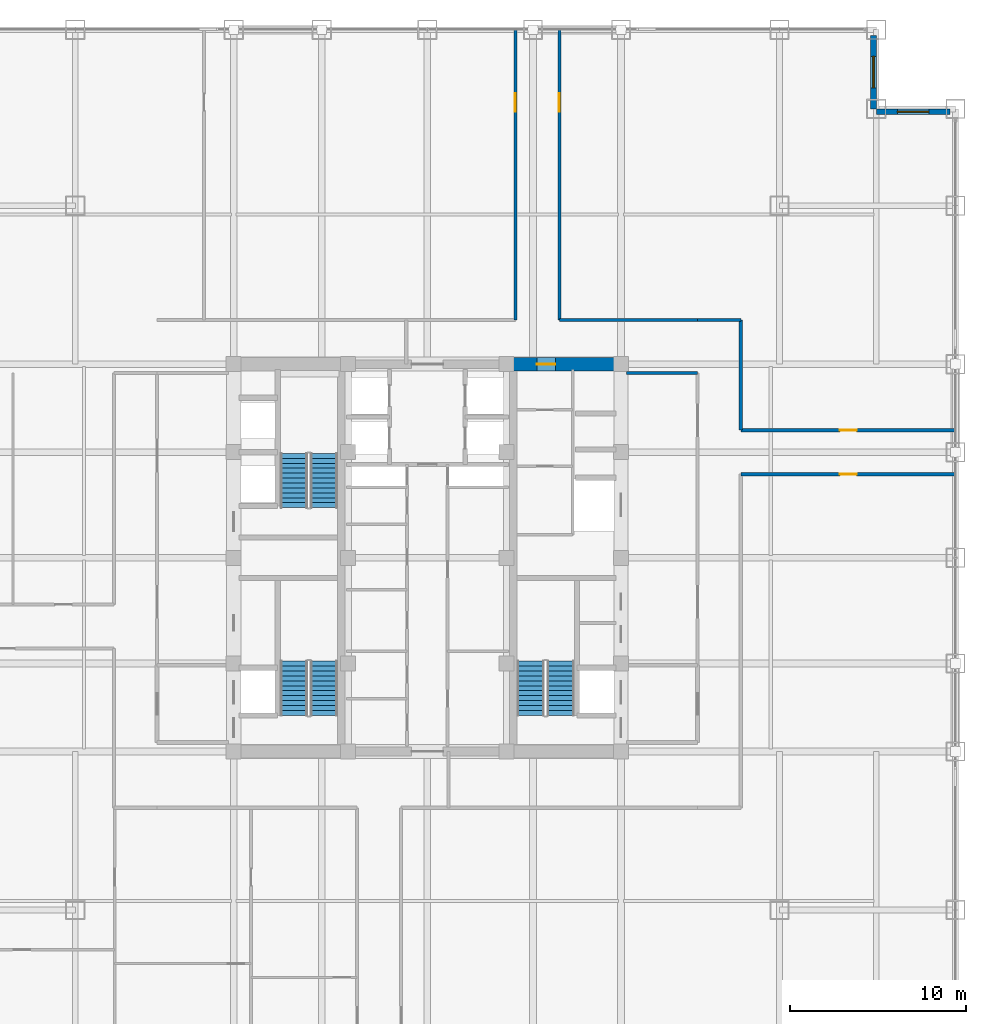
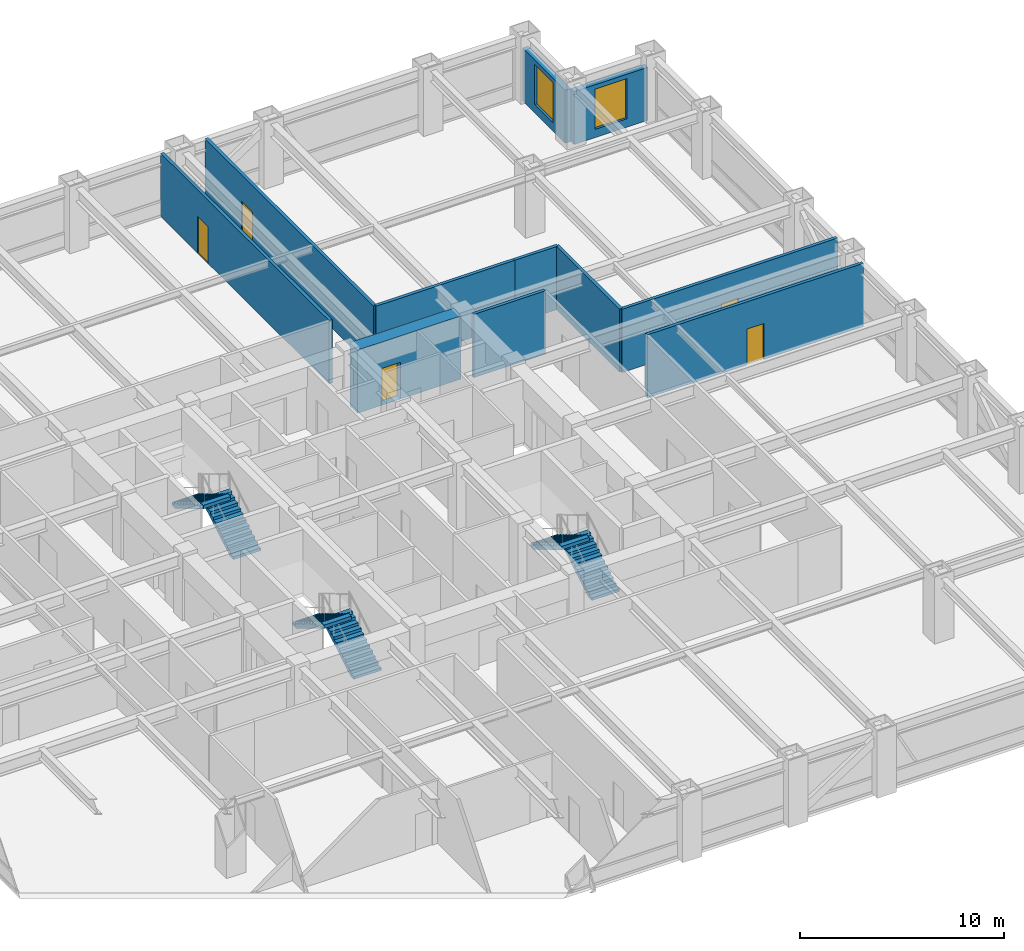
# One storey, part 23 of 24: 11 walls, 6 stair flights, 5 doors, 2 windows, 7 openings, 3 elements without a shape of their own.
"""IFC4 building model written with IfcOpenShell, lengths in metres."""

import ifcopenshell
import ifcopenshell.guid

model = None  # the IFC model being written
_history = None  # IfcOwnerHistory: only IFC2X3 demands one
_inside = {}  # id of a spatial element -> (the spatial element, [elements in it])
_under = {}  # id of a project, library or spatial element -> (it, [spatial elements below it])
_declared = {}  # id of a project -> (the project, [libraries it declares])
_typed = {}  # id of a type object -> (the type object, [elements of that type])
_made_of = {}  # id of a material, layer set ... -> (it, [elements and type objects made of it])


def new_model(schema):
    """Start an empty IFC model of exactly this schema.

    Asked for "IFC4X3", IfcOpenShell would pick the latest addendum, in which some entities
    have other attributes; the version numbers below select the first issue.
    IFC2X3 requires an IfcOwnerHistory on every rooted entity: one is made here for all.
    """
    global model, _history
    if schema == "IFC4X3":
        model = ifcopenshell.file(schema_version=(4, 3, 0, 0))
    else:
        model = ifcopenshell.file(schema=schema)
    _inside.clear()
    _under.clear()
    _declared.clear()
    _typed.clear()
    _made_of.clear()
    _history = None
    if model.schema == "IFC2X3":
        org = make("IfcOrganization", Name="unknown")
        user = make(
            "IfcPersonAndOrganization",
            ThePerson=make("IfcPerson", FamilyName="unknown"),
            TheOrganization=org,
        )
        app = make(
            "IfcApplication",
            ApplicationDeveloper=org,
            Version="unknown",
            ApplicationFullName="unknown",
            ApplicationIdentifier="unknown",
        )
        _history = make(
            "IfcOwnerHistory",
            OwningUser=user,
            OwningApplication=app,
            ChangeAction="ADDED",
            CreationDate=0,
        )
    return model


def make(cls, **values):
    """One entity of the class cls with the attributes given. An attribute that is None is left unset."""
    return model.create_entity(
        cls, **{name: value for name, value in values.items() if value is not None}
    )


def rooted(cls, **values):
    """An entity with a GlobalId (a new one), such as an element, a storey or a relation."""
    return make(cls, GlobalId=ifcopenshell.guid.new(), OwnerHistory=_history, **values)


def si_unit(unit_type, name, prefix=None):
    """IfcSIUnit, for example si_unit("LENGTHUNIT", "METRE", prefix="MILLI")."""
    return make("IfcSIUnit", UnitType=unit_type, Prefix=prefix, Name=name)


def assignment(units):
    """IfcUnitAssignment: the units of a project."""
    return None if units is None else make("IfcUnitAssignment", Units=units)


def point(xyz):
    """IfcCartesianPoint."""
    return None if xyz is None else make("IfcCartesianPoint", Coordinates=xyz)


def direction(xyz):
    """IfcDirection."""
    return None if xyz is None else make("IfcDirection", DirectionRatios=xyz)


def frame(location, z_axis=None, x_axis=None):
    """IfcAxis2Placement3D, a coordinate frame: its origin and axes. An axis left out is left unset."""
    return make(
        "IfcAxis2Placement3D",
        Location=point(location),
        Axis=direction(z_axis),
        RefDirection=direction(x_axis),
    )


def frame_2d(location, x_axis=None):
    """IfcAxis2Placement2D, a coordinate frame in the plane: its origin and x axis."""
    return make(
        "IfcAxis2Placement2D", Location=point(location), RefDirection=direction(x_axis)
    )


def origin():
    """The frame at (0, 0, 0) with its axes left unset."""
    return frame((0.0, 0.0, 0.0))


def place(relative_to, where):
    """IfcLocalPlacement: puts the frame where relative to a parent placement (None: the world)."""
    return make(
        "IfcLocalPlacement", PlacementRelTo=relative_to, RelativePlacement=where
    )


def context(
    kind, dimensions, precision=None, world=None, true_north=None, identifier=None
):
    """IfcGeometricRepresentationContext, for example the 3D "Model" context."""
    return make(
        "IfcGeometricRepresentationContext",
        ContextIdentifier=identifier,
        ContextType=kind,
        CoordinateSpaceDimension=dimensions,
        Precision=precision,
        WorldCoordinateSystem=world,
        TrueNorth=true_north,
    )


def subcontext(parent, identifier, kind, view, scale=None):
    """IfcGeometricRepresentationSubContext, for example "Body" below "Model"."""
    return make(
        "IfcGeometricRepresentationSubContext",
        ContextIdentifier=identifier,
        ContextType=kind,
        ParentContext=parent,
        TargetScale=scale,
        TargetView=view,
    )


def project(units=None, contexts=None):
    """IfcProject with its units and contexts."""
    return rooted(
        "IfcProject",
        Name="project",
        RepresentationContexts=contexts,
        UnitsInContext=assignment(units),
    )


def spatial(cls, under=None, at=None, **own):
    """A site, building, storey or space (cls), placed at a placement, below another one or the project."""
    s = rooted(cls, ObjectPlacement=at, **own)
    if under is not None:
        _under.setdefault(under.id(), (under, []))[1].append(s)
    return s


def polyline(points):
    """IfcPolyline through the points."""
    return make("IfcPolyline", Points=[point(p) for p in points])


def profile(cls, at=None, kind="AREA", **sizes):
    """A parametric profile (cls). Its sizes go by their IFC names, for example OverallWidth=200.0."""
    return make(cls, ProfileType=kind, Position=at, **sizes)


def rectangle(**sizes):
    """IfcRectangleProfileDef."""
    return profile("IfcRectangleProfileDef", **sizes)


def outline(outer, holes=None, kind="AREA"):
    """IfcArbitraryClosedProfileDef: a profile drawn as a closed curve; with holes, ...WithVoids."""
    if holes is None:
        return make("IfcArbitraryClosedProfileDef", ProfileType=kind, OuterCurve=outer)
    return make(
        "IfcArbitraryProfileDefWithVoids",
        ProfileType=kind,
        OuterCurve=outer,
        InnerCurves=holes,
    )


def extrude(swept, where, along, depth):
    """IfcExtrudedAreaSolid: the profile swept, set in the frame where, extruded along a direction by depth."""
    return make(
        "IfcExtrudedAreaSolid",
        SweptArea=swept,
        Position=where,
        ExtrudedDirection=direction(along),
        Depth=depth,
    )


def shape(context_of_items, identifier, shape_type, items):
    """IfcShapeRepresentation: the items that make up one representation, for example the "Body"."""
    return make(
        "IfcShapeRepresentation",
        ContextOfItems=context_of_items,
        RepresentationIdentifier=identifier,
        RepresentationType=shape_type,
        Items=items,
    )


def source(mapping_origin, context_of_items, identifier, shape_type, items):
    """IfcRepresentationMap: a shape defined once, which mapped items show again and again."""
    return make(
        "IfcRepresentationMap",
        MappingOrigin=mapping_origin,
        MappedRepresentation=shape(context_of_items, identifier, shape_type, items),
    )


def transform(
    local_origin,
    x_axis=None,
    y_axis=None,
    z_axis=None,
    scale=None,
    scale2=None,
    scale3=None,
    uniform=True,
):
    """IfcCartesianTransformationOperator3D, or its non-uniform kind. x_axis, y_axis, z_axis: its Axis1, 2, 3."""
    if uniform:
        return make(
            "IfcCartesianTransformationOperator3D",
            Axis1=direction(x_axis),
            Axis2=direction(y_axis),
            LocalOrigin=point(local_origin),
            Scale=scale,
            Axis3=direction(z_axis),
        )
    return make(
        "IfcCartesianTransformationOperator3DnonUniform",
        Axis1=direction(x_axis),
        Axis2=direction(y_axis),
        LocalOrigin=point(local_origin),
        Scale=scale,
        Axis3=direction(z_axis),
        Scale2=scale2,
        Scale3=scale3,
    )


def mapped(mapping_source, mapping_target):
    """IfcMappedItem: shows the shape of a source again, moved by a transform."""
    return make(
        "IfcMappedItem", MappingSource=mapping_source, MappingTarget=mapping_target
    )


def material(Name=None, Category=None):
    """IfcMaterial."""
    return make("IfcMaterial", Name=Name, Category=Category)


def layer(
    of_material, thickness, ventilated=None, Name=None, Category=None, Priority=None
):
    """IfcMaterialLayer: one layer of a wall or slab, of a material (None: an air gap)."""
    return make(
        "IfcMaterialLayer",
        Material=of_material,
        LayerThickness=thickness,
        IsVentilated=ventilated,
        Name=Name,
        Category=Category,
        Priority=Priority,
    )


def layer_set(layers, Name=None):
    """IfcMaterialLayerSet."""
    return make("IfcMaterialLayerSet", MaterialLayers=layers, LayerSetName=Name)


def made_of(thing, what):
    """Note that an element or type object is made of a material, layer set ...; save() writes the relation."""
    if what is not None:
        _made_of.setdefault(what.id(), (what, []))[1].append(thing)
    return thing


def type_object(cls, material=None, **own):
    """A type object (cls), such as IfcWallType, which elements share."""
    return made_of(rooted(cls, **own), material)


def element(
    cls,
    number,
    at=None,
    inside=None,
    cuts=None,
    type_object=None,
    material=None,
    context=None,
    identifier="Body",
    shape_type=None,
    held_by="IfcProductDefinitionShape",
    body=None,
    shapes=None,
    **own,
):
    """One element of the class cls, such as IfcWall. Its Tag is "e" and its number.

    at: its placement. inside: the storey or other place that contains it. cuts: it is an
    opening in that element (IfcRelVoidsElement). A single representation is given by context,
    identifier, shape_type and body (its items); several are given by shapes. held_by: the class
    of the entity that holds the representations. save() writes the other relations.
    """
    e = rooted(cls, Tag="e%d" % number, ObjectPlacement=at, **own)
    if body is not None:
        shapes = [shape(context, identifier, shape_type, body)]
    if shapes is not None:
        e.Representation = make(held_by, Representations=shapes)
    if inside is not None:
        _inside.setdefault(inside.id(), (inside, []))[1].append(e)
    if cuts is not None:
        rooted(
            "IfcRelVoidsElement", RelatingBuildingElement=cuts, RelatedOpeningElement=e
        )
    if type_object is not None:
        _typed.setdefault(type_object.id(), (type_object, []))[1].append(e)
    return made_of(e, material)


def fill(opening, filler):
    """IfcRelFillsElement: the door or window that sits in an opening."""
    return rooted(
        "IfcRelFillsElement",
        RelatingOpeningElement=opening,
        RelatedBuildingElement=filler,
    )


def aggregate(whole, parts):
    """IfcRelAggregates: a whole, such as a stair, and the parts it consists of."""
    return rooted("IfcRelAggregates", RelatingObject=whole, RelatedObjects=parts)


def save(model, path):
    """Write the relations noted so far, then the file.

    IfcRelAggregates (storeys below a building ...), IfcRelContainedInSpatialStructure (elements
    in a storey), IfcRelDefinesByType, IfcRelAssociatesMaterial and IfcRelDeclares: one each for
    every whole, place, type object, material and project.
    """
    for whole, parts in _under.values():
        aggregate(whole, parts)
    for where, things in _inside.values():
        rooted(
            "IfcRelContainedInSpatialStructure",
            RelatedElements=things,
            RelatingStructure=where,
        )
    for kind, things in _typed.values():
        rooted("IfcRelDefinesByType", RelatedObjects=things, RelatingType=kind)
    for what, things in _made_of.values():
        rooted("IfcRelAssociatesMaterial", RelatedObjects=things, RelatingMaterial=what)
    for by, libraries in _declared.values():
        rooted("IfcRelDeclares", RelatingContext=by, RelatedDefinitions=libraries)
    model.write(path)


model = new_model("IFC4")

# Units and contexts
model_context = context("Model", 3, precision=1e-05, world=origin(), true_north=direction((0.0, 1.0)))
body_context = subcontext(model_context, "Body", "Model", "MODEL_VIEW")
ifc_project = project(units=[si_unit("LENGTHUNIT", "METRE"), si_unit("AREAUNIT", "SQUARE_METRE"), si_unit("VOLUMEUNIT", "CUBIC_METRE"), si_unit("PLANEANGLEUNIT", "RADIAN"), si_unit("MASSUNIT", "GRAM", prefix="KILO")], contexts=[model_context])

# Site, building, storey
site_placement = place(None, origin())
site = spatial("IfcSite", under=ifc_project, at=site_placement, CompositionType="ELEMENT")
building_placement = place(site_placement, origin())
building = spatial("IfcBuilding", under=site, at=building_placement, Name="Khorayat Bourse Tower", CompositionType="ELEMENT")
storey_placement = place(building_placement, frame((0.0, 0.0, 179.10009765625)))
storey = spatial("IfcBuildingStorey", under=building, at=storey_placement, Name="L41", CompositionType="ELEMENT", Elevation=179.10009765625)

# Wall, opening, door
ifc_material_1 = material(Name="Concrete C72/90", Category="concrete")
ifc_layer_1 = layer(ifc_material_1, 0.75)
ifc_layer_set_1 = layer_set([ifc_layer_1], Name="Concrete C72/90")
wall_type_1 = type_object("IfcWallType", Name="WAL-CORE-750", PredefinedType="SHEAR", material=ifc_layer_set_1)
shared_shape_1 = source(origin(), body_context, "Body", "SweptSolid", [
    extrude(rectangle(XDim=5.849853515625, YDim=0.75, at=frame_2d((2.9248046875, 0.0))), origin(), (0.0, 0.0, 1.0), 3.77978515625),
])
wall_1_placement = place(storey_placement, frame((4.85009765625, 11.0, 0.0), z_axis=(0.0, 0.0, 1.0), x_axis=(1.0, 0.0, 0.0)))
wall_1 = element("IfcWall", 1, at=wall_1_placement, inside=storey, type_object=wall_type_1, Name="L41 Core Shear Wall PIER-EN", PredefinedType="SHEAR", context=body_context, shape_type="MappedRepresentation", body=[
    mapped(shared_shape_1, transform((0.0, 0.0, 0.0), scale=1.0)),
])
shared_shape_2 = source(origin(), body_context, "Body", "SweptSolid", [
    extrude(rectangle(XDim=1.050048828125, YDim=2.199951171875, at=frame_2d((0.52490234375, 1.10009765625))), frame((0.0, 0.385009765625, 0.0), z_axis=(0.0, -1.0, 0.0), x_axis=(1.0, 0.0, 0.0)), (0.0, 0.0, 1.0), 0.77001953125),
])
opening_1_placement = place(wall_1_placement, frame((1.375, 0.0, 0.0)))
opening_1 = element("IfcOpeningElement", 2, at=opening_1_placement, cuts=wall_1, Name="Opening DI-04", PredefinedType="OPENING", context=body_context, shape_type="MappedRepresentation", body=[
    mapped(shared_shape_2, transform((0.0, 0.0, 0.0), scale=1.0)),
])
ifc_material_2 = material(Name="Fire-rated oak veneer suite entrance door")
door_type_1 = type_object("IfcDoorType", Name="DR-INT-SUITE-1050", OperationType="NOTDEFINED", PredefinedType="DOOR", material=ifc_material_2)
shared_shape_3 = source(origin(), body_context, "Body", "SweptSolid", [
    extrude(rectangle(XDim=1.050048828125, YDim=2.199951171875, at=frame_2d((0.52490234375, 1.10009765625))), frame((0.0, 0.02490234375, 0.0), z_axis=(0.0, -1.0, 0.0), x_axis=(1.0, 0.0, 0.0)), (0.0, 0.0, 1.0), 0.050048828125),
])
door_1_placement = place(opening_1_placement, origin())
door_1 = element("IfcDoor", 3, at=door_1_placement, inside=storey, type_object=door_type_1, Name="L41 Core Washroom Lobby Door", OperationType="SINGLE_SWING_LEFT", OverallHeight=2.199951171875, OverallWidth=1.050048828125, PredefinedType="DOOR", context=body_context, shape_type="MappedRepresentation", body=[
    mapped(shared_shape_3, transform((0.0, 0.0, 0.0), scale=1.0)),
])
fill(opening_1, door_1)

# Wall, opening, window
ifc_material_3 = material(Name="Precast concrete C45/55", Category="concrete")
ifc_layer_2 = layer(ifc_material_3, 0.320068359375)
ifc_layer_set_2 = layer_set([ifc_layer_2], Name="Precast concrete C45/55")
wall_type_2 = type_object("IfcWallType", Name="WAL-EXT-STONE-320", PredefinedType="STANDARD", material=ifc_layer_set_2)
shared_shape_4 = source(origin(), body_context, "Body", "SweptSolid", [
    extrude(rectangle(XDim=4.179931640625, YDim=0.320068359375, at=frame_2d((2.08984375, 0.0))), origin(), (0.0, 0.0, 1.0), 3.163818359375),
])
wall_2_placement = place(storey_placement, frame((25.5, 25.340087890625, 0.0), z_axis=(0.0, 0.0, 1.0), x_axis=(1.0, 0.0, 0.0)))
wall_2 = element("IfcWall", 4, at=wall_2_placement, inside=storey, type_object=wall_type_2, Name="L41 Re-Entrant Notch Limestone Wall NE-H", PredefinedType="STANDARD", context=body_context, shape_type="MappedRepresentation", body=[
    mapped(shared_shape_4, transform((0.0, 0.0, 0.0), scale=1.0)),
])
shared_shape_5 = source(origin(), body_context, "Body", "SweptSolid", [
    extrude(rectangle(XDim=1.800048828125, YDim=2.39990234375, at=frame_2d((0.89990234375, 1.199951171875))), frame((0.0, 0.169921875, 0.0), z_axis=(0.0, -1.0, 0.0), x_axis=(1.0, 0.0, 0.0)), (0.0, 0.0, 1.0), 0.340087890625),
])
opening_2_placement = place(wall_2_placement, frame((1.18994140625, 0.0, 0.5)))
opening_2 = element("IfcOpeningElement", 5, at=opening_2_placement, cuts=wall_2, Name="Opening WN-04", PredefinedType="OPENING", context=body_context, shape_type="MappedRepresentation", body=[
    mapped(shared_shape_5, transform((0.0, 0.0, 0.0), scale=1.0)),
])
ifc_material_4 = material(Name="Low-E acoustic laminated double glazing", Category="glass")
window_type = type_object("IfcWindowType", Name="WIN-NOTCH-1800x2400", PartitioningType="SINGLE_PANEL", PredefinedType="WINDOW", material=ifc_material_4)
shared_shape_6 = source(origin(), body_context, "Body", "SweptSolid", [
    extrude(rectangle(XDim=1.800048828125, YDim=2.39990234375, at=frame_2d((0.89990234375, 1.199951171875))), frame((0.0, 0.030029296875, 0.0), z_axis=(0.0, -1.0, 0.0), x_axis=(1.0, 0.0, 0.0)), (0.0, 0.0, 1.0), 0.06005859375),
])
window_1_placement = place(opening_2_placement, origin())
window_1 = element("IfcWindow", 6, at=window_1_placement, inside=storey, type_object=window_type, Name="L41 Facade Window 1", OverallHeight=2.39990234375, OverallWidth=1.800048828125, PartitioningType="SINGLE_PANEL", PredefinedType="WINDOW", context=body_context, shape_type="MappedRepresentation", body=[
    mapped(shared_shape_6, transform((0.0, 0.0, 0.0), scale=1.0)),
])
fill(opening_2, window_1)

wall_3_placement = place(storey_placement, frame((25.340087890625, 25.5, 0.0), z_axis=(0.0, 0.0, 1.0), x_axis=(0.0, 1.0, 0.0)))
wall_3 = element("IfcWall", 7, at=wall_3_placement, inside=storey, type_object=wall_type_2, Name="L41 Re-Entrant Notch Limestone Wall NE-V", PredefinedType="STANDARD", context=body_context, shape_type="MappedRepresentation", body=[
    mapped(shared_shape_4, transform((0.0, 0.0, 0.0), scale=1.0)),
])
opening_3_placement = place(wall_3_placement, frame((1.18994140625, 0.0, 0.5)))
opening_3 = element("IfcOpeningElement", 8, at=opening_3_placement, cuts=wall_3, Name="Opening WN-04", PredefinedType="OPENING", context=body_context, shape_type="MappedRepresentation", body=[
    mapped(shared_shape_5, transform((0.0, 0.0, 0.0), scale=1.0)),
])
window_2_placement = place(opening_3_placement, origin())
window_2 = element("IfcWindow", 9, at=window_2_placement, inside=storey, type_object=window_type, Name="L41 Facade Window 1", OverallHeight=2.39990234375, OverallWidth=1.800048828125, PartitioningType="SINGLE_PANEL", PredefinedType="WINDOW", context=body_context, shape_type="MappedRepresentation", body=[
    mapped(shared_shape_6, transform((0.0, 0.0, 0.0), scale=1.0)),
])
fill(opening_3, window_2)

# Walls
ifc_material_5 = material(Name="Gypsum plasterboard acoustic stud wall")
ifc_layer_3 = layer(ifc_material_5, 0.179931640625)
ifc_layer_set_3 = layer_set([ifc_layer_3], Name="Gypsum plasterboard acoustic stud wall")
wall_type_3 = type_object("IfcWallType", Name="WAL-PART-CORR-180", PredefinedType="PARTITIONING", material=ifc_layer_set_3)
shared_shape_7 = source(origin(), body_context, "Body", "SweptSolid", [
    extrude(rectangle(XDim=4.050048828125, YDim=0.179931640625, at=frame_2d((2.02490234375, 0.0))), origin(), (0.0, 0.0, 1.0), 3.77978515625),
])
wall_4_placement = place(storey_placement, frame((11.300048828125, 10.5, 0.0), z_axis=(0.0, 0.0, 1.0), x_axis=(1.0, 0.0, 0.0)))
element("IfcWall", 10, at=wall_4_placement, inside=storey, type_object=wall_type_3, Name="L41 Partition WAL-L41-ELOB-N", PredefinedType="PARTITIONING", context=body_context, shape_type="MappedRepresentation", body=[
    mapped(shared_shape_7, transform((0.0, 0.0, 0.0), scale=1.0)),
])
shared_shape_8 = source(origin(), body_context, "Body", "SweptSolid", [
    extrude(rectangle(XDim=2.449951171875, YDim=0.179931640625, at=frame_2d((1.22509765625, 0.0))), origin(), (0.0, 0.0, 1.0), 3.77978515625),
])
wall_5_placement = place(storey_placement, frame((15.35009765625, 13.5, 0.0), z_axis=(0.0, 0.0, 1.0), x_axis=(1.0, 0.0, 0.0)))
element("IfcWall", 11, at=wall_5_placement, inside=storey, type_object=wall_type_3, Name="L41 Partition WAL-L41-C2-EN", PredefinedType="PARTITIONING", context=body_context, shape_type="MappedRepresentation", body=[
    mapped(shared_shape_8, transform((0.0, 0.0, 0.0), scale=1.0)),
])

# Wall, opening, door
shared_shape_9 = source(origin(), body_context, "Body", "SweptSolid", [
    extrude(rectangle(XDim=16.5, YDim=0.179931640625, at=frame_2d((8.25, 0.0))), origin(), (0.0, 0.0, 1.0), 3.77978515625),
])
wall_6_placement = place(storey_placement, frame((5.0, 13.5, 0.0), z_axis=(0.0, 0.0, 1.0), x_axis=(0.0, 1.0, 0.0)))
wall_6 = element("IfcWall", 12, at=wall_6_placement, inside=storey, type_object=wall_type_3, Name="L41 Partition WAL-L41-QNW-SPK", PredefinedType="PARTITIONING", context=body_context, shape_type="MappedRepresentation", body=[
    mapped(shared_shape_9, transform((0.0, 0.0, 0.0), scale=1.0)),
])
shared_shape_10 = source(origin(), body_context, "Body", "SweptSolid", [
    extrude(rectangle(XDim=1.050048828125, YDim=2.199951171875, at=frame_2d((0.52490234375, 1.10009765625))), frame((0.0, 0.099853515625, 0.0), z_axis=(0.0, -1.0, 0.0), x_axis=(1.0, 0.0, 0.0)), (0.0, 0.0, 1.0), 0.199951171875),
])
opening_4_placement = place(wall_6_placement, frame((11.85009765625, 0.0, 0.0)))
opening_4 = element("IfcOpeningElement", 13, at=opening_4_placement, cuts=wall_6, Name="Opening DI-04", PredefinedType="OPENING", context=body_context, shape_type="MappedRepresentation", body=[
    mapped(shared_shape_10, transform((0.0, 0.0, 0.0), scale=1.0)),
])
door_2_placement = place(opening_4_placement, origin())
door_2 = element("IfcDoor", 14, at=door_2_placement, inside=storey, type_object=door_type_1, Name="L41 North-West Radial Spoke Entry", OperationType="SINGLE_SWING_LEFT", OverallHeight=2.199951171875, OverallWidth=1.050048828125, PredefinedType="DOOR", context=body_context, shape_type="MappedRepresentation", body=[
    mapped(shared_shape_3, transform((0.0, 0.0, 0.0), scale=1.0)),
])
fill(opening_4, door_2)

wall_7_placement = place(storey_placement, frame((7.5, 13.5, 0.0), z_axis=(0.0, 0.0, 1.0), x_axis=(0.0, 1.0, 0.0)))
wall_7 = element("IfcWall", 15, at=wall_7_placement, inside=storey, type_object=wall_type_3, Name="L41 Partition WAL-L41-QNE-SPK", PredefinedType="PARTITIONING", context=body_context, shape_type="MappedRepresentation", body=[
    mapped(shared_shape_9, transform((0.0, 0.0, 0.0), scale=1.0)),
])
opening_5_placement = place(wall_7_placement, frame((11.85009765625, 0.0, 0.0)))
opening_5 = element("IfcOpeningElement", 16, at=opening_5_placement, cuts=wall_7, Name="Opening DI-04", PredefinedType="OPENING", context=body_context, shape_type="MappedRepresentation", body=[
    mapped(shared_shape_10, transform((0.0, 0.0, 0.0), scale=1.0)),
])
door_3_placement = place(opening_5_placement, origin())
door_3 = element("IfcDoor", 17, at=door_3_placement, inside=storey, type_object=door_type_1, Name="L41 North-East Radial Spoke Entry", OperationType="SINGLE_SWING_LEFT", OverallHeight=2.199951171875, OverallWidth=1.050048828125, PredefinedType="DOOR", context=body_context, shape_type="MappedRepresentation", body=[
    mapped(shared_shape_3, transform((0.0, 0.0, 0.0), scale=1.0)),
])
fill(opening_5, door_3)

shared_shape_11 = source(origin(), body_context, "Body", "SweptSolid", [
    extrude(rectangle(XDim=12.199951171875, YDim=0.179931640625, at=frame_2d((6.10009765625, 0.0))), origin(), (0.0, 0.0, 1.0), 3.77978515625),
])
wall_8_placement = place(storey_placement, frame((17.800048828125, 4.75, 0.0), z_axis=(0.0, 0.0, 1.0), x_axis=(1.0, 0.0, 0.0)))
wall_8 = element("IfcWall", 18, at=wall_8_placement, inside=storey, type_object=wall_type_3, Name="L41 Partition WAL-L41-ES-SPK", PredefinedType="PARTITIONING", context=body_context, shape_type="MappedRepresentation", body=[
    mapped(shared_shape_11, transform((0.0, 0.0, 0.0), scale=1.0)),
])
shared_shape_12 = source(origin(), body_context, "Body", "SweptSolid", [
    extrude(rectangle(XDim=0.949951171875, YDim=2.14990234375, at=frame_2d((0.47509765625, 1.074951171875))), frame((0.0, 0.099853515625, 0.0), z_axis=(0.0, -1.0, 0.0), x_axis=(1.0, 0.0, 0.0)), (0.0, 0.0, 1.0), 0.199951171875),
])
opening_6_placement = place(wall_8_placement, frame((5.625, 0.0, 0.0)))
opening_6 = element("IfcOpeningElement", 19, at=opening_6_placement, cuts=wall_8, Name="Opening DI-05", PredefinedType="OPENING", context=body_context, shape_type="MappedRepresentation", body=[
    mapped(shared_shape_12, transform((0.0, 0.0, 0.0), scale=1.0)),
])
ifc_material_6 = material(Name="Acoustic oak veneer office door")
door_type_2 = type_object("IfcDoorType", Name="DR-INT-OFFICE-950", OperationType="NOTDEFINED", PredefinedType="DOOR", material=ifc_material_6)
shared_shape_13 = source(origin(), body_context, "Body", "SweptSolid", [
    extrude(rectangle(XDim=0.949951171875, YDim=2.14990234375, at=frame_2d((0.47509765625, 1.074951171875))), frame((0.0, 0.02490234375, 0.0), z_axis=(0.0, -1.0, 0.0), x_axis=(1.0, 0.0, 0.0)), (0.0, 0.0, 1.0), 0.050048828125),
])
door_4_placement = place(opening_6_placement, origin())
door_4 = element("IfcDoor", 20, at=door_4_placement, inside=storey, type_object=door_type_2, Name="L41 Financial Training Classroom ES Door", OperationType="SINGLE_SWING_LEFT", OverallHeight=2.14990234375, OverallWidth=0.949951171875, PredefinedType="DOOR", context=body_context, shape_type="MappedRepresentation", body=[
    mapped(shared_shape_13, transform((0.0, 0.0, 0.0), scale=1.0)),
])
fill(opening_6, door_4)

wall_9_placement = place(storey_placement, frame((17.800048828125, 7.25, 0.0), z_axis=(0.0, 0.0, 1.0), x_axis=(1.0, 0.0, 0.0)))
wall_9 = element("IfcWall", 21, at=wall_9_placement, inside=storey, type_object=wall_type_3, Name="L41 Partition WAL-L41-EN-SPK", PredefinedType="PARTITIONING", context=body_context, shape_type="MappedRepresentation", body=[
    mapped(shared_shape_11, transform((0.0, 0.0, 0.0), scale=1.0)),
])
opening_7_placement = place(wall_9_placement, frame((5.625, 0.0, 0.0)))
opening_7 = element("IfcOpeningElement", 22, at=opening_7_placement, cuts=wall_9, Name="Opening DI-05", PredefinedType="OPENING", context=body_context, shape_type="MappedRepresentation", body=[
    mapped(shared_shape_12, transform((0.0, 0.0, 0.0), scale=1.0)),
])
door_5_placement = place(opening_7_placement, origin())
door_5 = element("IfcDoor", 23, at=door_5_placement, inside=storey, type_object=door_type_2, Name="L41 Brokerage Seminar Room EN Door", OperationType="SINGLE_SWING_LEFT", OverallHeight=2.14990234375, OverallWidth=0.949951171875, PredefinedType="DOOR", context=body_context, shape_type="MappedRepresentation", body=[
    mapped(shared_shape_13, transform((0.0, 0.0, 0.0), scale=1.0)),
])
fill(opening_7, door_5)

# Walls
shared_shape_14 = source(origin(), body_context, "Body", "SweptSolid", [
    extrude(rectangle(XDim=7.85009765625, YDim=0.179931640625, at=frame_2d((3.925048828125, 0.0))), origin(), (0.0, 0.0, 1.0), 3.77978515625),
])
wall_10_placement = place(storey_placement, frame((7.5, 13.5, 0.0), z_axis=(0.0, 0.0, 1.0), x_axis=(1.0, 0.0, 0.0)))
element("IfcWall", 24, at=wall_10_placement, inside=storey, type_object=wall_type_3, Name="L41 Partition WAL-L41-QNE-HC", PredefinedType="PARTITIONING", context=body_context, shape_type="MappedRepresentation", body=[
    mapped(shared_shape_14, transform((0.0, 0.0, 0.0), scale=1.0)),
])
shared_shape_15 = source(origin(), body_context, "Body", "SweptSolid", [
    extrude(rectangle(XDim=6.25, YDim=0.179931640625, at=frame_2d((3.125, 0.0))), origin(), (0.0, 0.0, 1.0), 3.77978515625),
])
wall_11_placement = place(storey_placement, frame((17.800048828125, 7.25, 0.0), z_axis=(0.0, 0.0, 1.0), x_axis=(0.0, 1.0, 0.0)))
element("IfcWall", 25, at=wall_11_placement, inside=storey, type_object=wall_type_3, Name="L41 Partition WAL-L41-EN-IN", PredefinedType="PARTITIONING", context=body_context, shape_type="MappedRepresentation", body=[
    mapped(shared_shape_15, transform((0.0, 0.0, 0.0), scale=1.0)),
])

# Stair, stair flights
ifc_material_7 = material(Name="Concrete C40/50", Category="concrete")
stair_type = type_object("IfcStairType", Name="STR-CORE-1550", PredefinedType="HALF_TURN_STAIR", material=ifc_material_7)
stair_1_placement = place(storey_placement, origin())
stair_1 = element("IfcStair", 26, at=stair_1_placement, inside=storey, type_object=stair_type, Name="L41 Exit Stair ST-1", PredefinedType="HALF_TURN_STAIR")
stair_flight_type = type_object("IfcStairFlightType", Name="FLT-CORE-1550", PredefinedType="STRAIGHT", material=ifc_material_7)
shared_shape_16 = source(origin(), body_context, "Body", "SweptSolid", [
    extrude(outline(polyline([(0.0, 0.0), (0.0, 0.166748046875), (0.280029296875, 0.166748046875), (0.280029296875, 0.333251953125), (0.56005859375, 0.333251953125), (0.56005859375, 0.5), (0.840087890625, 0.5), (0.840087890625, 0.666748046875), (1.1201171875, 0.666748046875), (1.1201171875, 0.833251953125), (1.39990234375, 0.833251953125), (1.39990234375, 1.0), (1.679931640625, 1.0), (1.679931640625, 1.166748046875), (1.9599609375, 1.166748046875), (1.9599609375, 1.333251953125), (2.239990234375, 1.333251953125), (2.239990234375, 1.5), (2.52001953125, 1.5), (2.52001953125, 1.666748046875), (2.800048828125, 1.666748046875), (2.800048828125, 1.833251953125), (3.080078125, 1.833251953125), (3.080078125, 2.0), (3.080078125, 1.6240234375), (0.351806640625, 0.0), (0.0, 0.0)])), frame((0.0, 0.77490234375, 0.0), z_axis=(0.0, -1.0, 0.0), x_axis=(1.0, 0.0, 0.0)), (0.0, 0.0, 1.0), 1.550048828125),
])
stair_flight_1_placement = place(storey_placement, frame((-5.875, -8.949951171875, 0.0), z_axis=(0.0, 0.0, 1.0), x_axis=(0.0, 1.0, 0.0)))
stair_flight_1 = element("IfcStairFlight", 27, at=stair_flight_1_placement, type_object=stair_flight_type, Name="ST-1 flight 1", NumberOfRisers=12, NumberOfTreads=11, PredefinedType="STRAIGHT", RiserHeight=0.166666667, TreadLength=0.28, context=body_context, shape_type="MappedRepresentation", body=[
    mapped(shared_shape_16, transform((0.0, 0.0, 0.0), scale=1.0)),
])
stair_flight_2_placement = place(storey_placement, frame((-7.574951171875, -5.8701171875, 2.0), z_axis=(0.0, 0.0, 1.0), x_axis=(0.0, -1.0, 0.0)))
stair_flight_2 = element("IfcStairFlight", 28, at=stair_flight_2_placement, type_object=stair_flight_type, Name="ST-1 flight 2", NumberOfRisers=12, NumberOfTreads=11, PredefinedType="STRAIGHT", RiserHeight=0.166666667, TreadLength=0.28, context=body_context, shape_type="MappedRepresentation", body=[
    mapped(shared_shape_16, transform((0.0, 0.0, 0.0), scale=1.0)),
])
aggregate(stair_1, [stair_flight_1, stair_flight_2])

stair_2_placement = place(storey_placement, origin())
stair_2 = element("IfcStair", 29, at=stair_2_placement, inside=storey, type_object=stair_type, Name="L41 Exit Stair ST-2", PredefinedType="HALF_TURN_STAIR")
stair_flight_3_placement = place(storey_placement, frame((-5.875, 2.85009765625, 0.0), z_axis=(0.0, 0.0, 1.0), x_axis=(0.0, 1.0, 0.0)))
stair_flight_3 = element("IfcStairFlight", 30, at=stair_flight_3_placement, type_object=stair_flight_type, Name="ST-2 flight 1", NumberOfRisers=12, NumberOfTreads=11, PredefinedType="STRAIGHT", RiserHeight=0.166666667, TreadLength=0.28, context=body_context, shape_type="MappedRepresentation", body=[
    mapped(shared_shape_16, transform((0.0, 0.0, 0.0), scale=1.0)),
])
stair_flight_4_placement = place(storey_placement, frame((-7.574951171875, 5.929931640625, 2.0), z_axis=(0.0, 0.0, 1.0), x_axis=(0.0, -1.0, 0.0)))
stair_flight_4 = element("IfcStairFlight", 31, at=stair_flight_4_placement, type_object=stair_flight_type, Name="ST-2 flight 2", NumberOfRisers=12, NumberOfTreads=11, PredefinedType="STRAIGHT", RiserHeight=0.166666667, TreadLength=0.28, context=body_context, shape_type="MappedRepresentation", body=[
    mapped(shared_shape_16, transform((0.0, 0.0, 0.0), scale=1.0)),
])
aggregate(stair_2, [stair_flight_3, stair_flight_4])

stair_3_placement = place(storey_placement, origin())
stair_3 = element("IfcStair", 32, at=stair_3_placement, inside=storey, type_object=stair_type, Name="L41 Exit Stair ST-3", PredefinedType="HALF_TURN_STAIR")
stair_flight_5_placement = place(storey_placement, frame((7.574951171875, -8.949951171875, 0.0), z_axis=(0.0, 0.0, 1.0), x_axis=(0.0, 1.0, 0.0)))
stair_flight_5 = element("IfcStairFlight", 33, at=stair_flight_5_placement, type_object=stair_flight_type, Name="ST-3 flight 1", NumberOfRisers=12, NumberOfTreads=11, PredefinedType="STRAIGHT", RiserHeight=0.166666667, TreadLength=0.28, context=body_context, shape_type="MappedRepresentation", body=[
    mapped(shared_shape_16, transform((0.0, 0.0, 0.0), scale=1.0)),
])
stair_flight_6_placement = place(storey_placement, frame((5.875, -5.8701171875, 2.0), z_axis=(0.0, 0.0, 1.0), x_axis=(0.0, -1.0, 0.0)))
stair_flight_6 = element("IfcStairFlight", 34, at=stair_flight_6_placement, type_object=stair_flight_type, Name="ST-3 flight 2", NumberOfRisers=12, NumberOfTreads=11, PredefinedType="STRAIGHT", RiserHeight=0.166666667, TreadLength=0.28, context=body_context, shape_type="MappedRepresentation", body=[
    mapped(shared_shape_16, transform((0.0, 0.0, 0.0), scale=1.0)),
])
aggregate(stair_3, [stair_flight_5, stair_flight_6])

save(model, "model.ifc")
